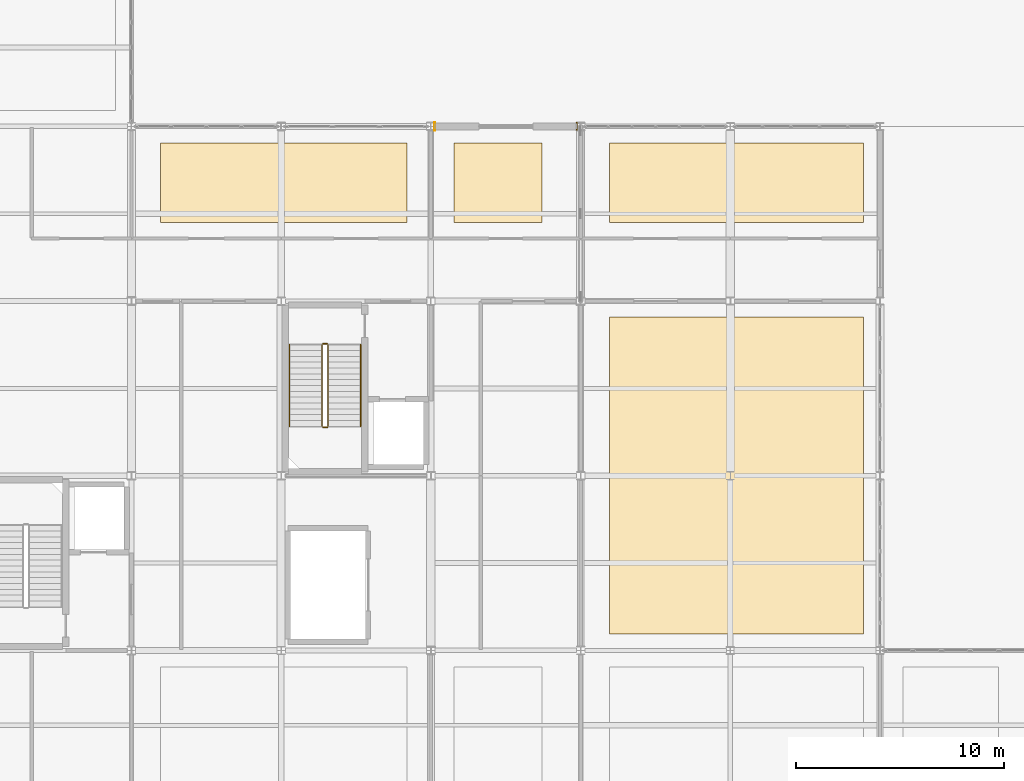
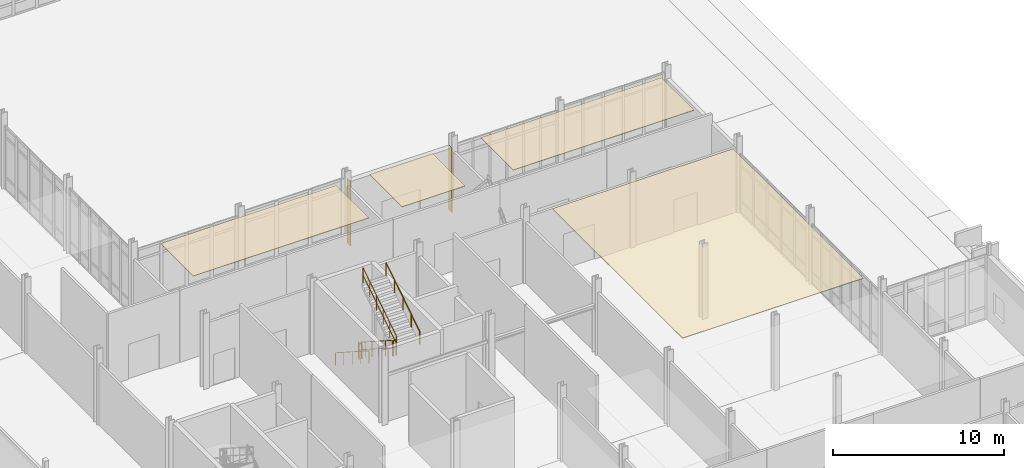
# One storey, part 227 of 229: 6 coverings, 6 railings.
"""IFC4 building model written with IfcOpenShell, lengths in metres."""

from ifc_helpers import new_model, si_unit, direction, frame, origin, origin_2d, place, context, subcontext, project, spatial, polyline, circle, outline, extrude, material, layer, layer_set, type_object, element, save


model = new_model("IFC4")

# Units and contexts
model_context = context("Model", 3, precision=1e-05, world=origin(), true_north=direction((0.0, 1.0)))
body_context = subcontext(model_context, "Body", "Model", "MODEL_VIEW")
ifc_project = project(units=[si_unit("LENGTHUNIT", "METRE"), si_unit("AREAUNIT", "SQUARE_METRE"), si_unit("VOLUMEUNIT", "CUBIC_METRE"), si_unit("PLANEANGLEUNIT", "RADIAN"), si_unit("MASSUNIT", "GRAM", prefix="KILO")], contexts=[model_context])

# Site, building, storey
site_placement = place(None, origin())
site = spatial("IfcSite", under=ifc_project, at=site_placement, CompositionType="ELEMENT")
building_placement = place(site_placement, origin())
building = spatial("IfcBuilding", under=site, at=building_placement, Name="Calvrana Isthmian Art Gallery", CompositionType="ELEMENT")
storey_placement = place(building_placement, origin())
storey = spatial("IfcBuildingStorey", under=building, at=storey_placement, Name="L00", CompositionType="ELEMENT", Elevation=0.0)

# Coverings
ifc_material_1 = material(Name="Acoustic gypsum ceiling", Category="gypsum")
ifc_layer_1 = layer(ifc_material_1, 0.0400390625, Name="Acoustic gypsum ceiling")
ifc_layer_set_1 = layer_set([ifc_layer_1], Name="Acoustic gypsum ceiling")
covering_type_1 = type_object("IfcCoveringType", Name="COV-CEIL-ACOUST", PredefinedType="CEILING", material=ifc_layer_set_1)
covering_1_placement = place(storey_placement, frame((0.0, 0.0, 5.1220703125)))
element("IfcCovering", 1, at=covering_1_placement, inside=storey, type_object=covering_type_1, Name="Gallery acoustic ceiling 18", PredefinedType="CEILING", context=body_context, shape_type="SweptSolid", body=[
    extrude(outline(polyline([(143.0, 22.39990234375), (155.199951171875, 22.39990234375), (155.199951171875, 37.6298828125), (143.0, 37.6298828125), (143.0, 22.39990234375)])), origin(), (0.0, 0.0, 1.0), 0.0400390625),
])
covering_2_placement = place(storey_placement, frame((0.0, 0.0, 5.1220703125)))
element("IfcCovering", 2, at=covering_2_placement, inside=storey, type_object=covering_type_1, Name="Gallery acoustic ceiling 19", PredefinedType="CEILING", context=body_context, shape_type="SweptSolid", body=[
    extrude(outline(polyline([(121.39990234375, 42.179931640625), (133.25, 42.179931640625), (133.25, 46.0), (121.39990234375, 46.0), (121.39990234375, 42.179931640625)])), origin(), (0.0, 0.0, 1.0), 0.0400390625),
])
covering_3_placement = place(storey_placement, frame((0.0, 0.0, 5.1220703125)))
element("IfcCovering", 3, at=covering_3_placement, inside=storey, type_object=covering_type_1, Name="Gallery acoustic ceiling 20", PredefinedType="CEILING", context=body_context, shape_type="SweptSolid", body=[
    extrude(outline(polyline([(135.5, 42.179931640625), (139.75, 42.179931640625), (139.75, 46.0), (135.5, 46.0), (135.5, 42.179931640625)])), origin(), (0.0, 0.0, 1.0), 0.0400390625),
])
covering_4_placement = place(storey_placement, frame((0.0, 0.0, 5.1220703125)))
element("IfcCovering", 4, at=covering_4_placement, inside=storey, type_object=covering_type_1, Name="Gallery acoustic ceiling 21", PredefinedType="CEILING", context=body_context, shape_type="SweptSolid", body=[
    extrude(outline(polyline([(143.0, 42.179931640625), (155.199951171875, 42.179931640625), (155.199951171875, 46.0), (143.0, 46.0), (143.0, 42.179931640625)])), origin(), (0.0, 0.0, 1.0), 0.0400390625),
])
ifc_material_2 = material(Name="Polychrome glazed terracotta", Category="masonry")
ifc_layer_2 = layer(ifc_material_2, 0.0400390625, Name="Polychrome glazed terracotta")
ifc_layer_set_2 = layer_set([ifc_layer_2], Name="Polychrome glazed terracotta")
covering_type_2 = type_object("IfcCoveringType", Name="COV-CLAD-TERRA", PredefinedType="CLADDING", material=ifc_layer_set_2)
covering_5_placement = place(storey_placement, origin())
element("IfcCovering", 5, at=covering_5_placement, inside=storey, type_object=covering_type_2, Name="Column pocket weather closure L00-17-06-W", PredefinedType="CLADDING", context=body_context, shape_type="SweptSolid", body=[
    extrude(outline(polyline([(134.56201171875, 46.60205078125), (134.60205078125, 46.60205078125), (134.60205078125, 46.998046875), (134.56201171875, 46.998046875), (134.56201171875, 46.60205078125)])), origin(), (0.0, 0.0, 1.0), 4.591064453125),
])
covering_6_placement = place(storey_placement, origin())
element("IfcCovering", 6, at=covering_6_placement, inside=storey, type_object=covering_type_2, Name="Column pocket weather closure L00-17-06-E", PredefinedType="CLADDING", context=body_context, shape_type="SweptSolid", body=[
    extrude(outline(polyline([(141.400390625, 46.60791015625), (141.4404296875, 46.60791015625), (141.4404296875, 46.991943359375), (141.400390625, 46.991943359375), (141.400390625, 46.60791015625)])), origin(), (0.0, 0.0, 1.0), 4.591064453125),
])

# Railings
ifc_material_3 = material(Name="Stainless steel 316", Category="steel")
railing_type_1 = type_object("IfcRailingType", Name="RL-GUARD-1120", PredefinedType="BALUSTRADE", material=ifc_material_3)
railing_1_placement = place(storey_placement, frame((129.159912109375, 36.300048828125, 0.179931640625)))
element("IfcRailing", 7, at=railing_1_placement, inside=storey, type_object=railing_type_1, Name="Stair ST-4 guard L00-1", PredefinedType="BALUSTRADE", context=body_context, shape_type="SweptSolid", body=[
    extrude(circle(Radius=0.02392578125, at=origin_2d()), frame((0.0, 0.0, 1.09619140625), z_axis=(0.0, -0.841186985886, 0.540744352514), x_axis=(1.0, 0.0, 0.0)), (0.0, 0.0, 1.0), 4.660400390625),
    extrude(circle(Radius=0.02392578125, at=origin_2d()), frame((0.0, 0.0, 0.56005859375), z_axis=(0.0, -0.841186985886, 0.540744352514), x_axis=(1.0, 0.0, 0.0)), (0.0, 0.0, 1.0), 4.660400390625),
    extrude(circle(Radius=0.02099609375, at=origin_2d()), origin(), (0.0, 0.0, 1.0), 1.072021484375),
    extrude(circle(Radius=0.02099609375, at=origin_2d()), frame((0.0, -0.783935546875, 0.50390625)), (0.0, 0.0, 1.0), 1.072021484375),
    extrude(circle(Radius=0.02099609375, at=origin_2d()), frame((0.0, -1.568115234375, 1.008056640625)), (0.0, 0.0, 1.0), 1.072021484375),
    extrude(circle(Radius=0.02099609375, at=origin_2d()), frame((0.0, -2.35205078125, 1.511962890625)), (0.0, 0.0, 1.0), 1.072021484375),
    extrude(circle(Radius=0.02099609375, at=origin_2d()), frame((0.0, -3.13623046875, 2.01611328125)), (0.0, 0.0, 1.0), 1.072021484375),
    extrude(circle(Radius=0.02099609375, at=origin_2d()), frame((0.0, -3.920166015625, 2.52001953125)), (0.0, 0.0, 1.0), 1.072021484375),
])
railing_2_placement = place(storey_placement, frame((129.2099609375, 32.330078125, 2.699951171875)))
element("IfcRailing", 8, at=railing_2_placement, inside=storey, type_object=railing_type_1, Name="Stair ST-4 guard L00-2", PredefinedType="BALUSTRADE", context=body_context, shape_type="SweptSolid", body=[
    extrude(circle(Radius=0.02392578125, at=origin_2d()), frame((0.0, 0.0, 1.09619140625), z_axis=(1.0, 0.0, 0.0), x_axis=(0.0, 1.0, 0.0)), (0.0, 0.0, 1.0), 0.199951171875),
    extrude(circle(Radius=0.02392578125, at=origin_2d()), frame((0.0, 0.0, 0.56005859375), z_axis=(1.0, 0.0, 0.0), x_axis=(0.0, 1.0, 0.0)), (0.0, 0.0, 1.0), 0.199951171875),
    extrude(circle(Radius=0.02099609375, at=origin_2d()), origin(), (0.0, 0.0, 1.0), 1.072021484375),
    extrude(circle(Radius=0.02099609375, at=origin_2d()), frame((0.199951171875, 0.0, 0.0)), (0.0, 0.0, 1.0), 1.072021484375),
])
railing_3_placement = place(storey_placement, frame((129.4599609375, 32.3798828125, 2.8798828125)))
element("IfcRailing", 9, at=railing_3_placement, inside=storey, type_object=railing_type_1, Name="Stair ST-4 guard L00-3", PredefinedType="BALUSTRADE", context=body_context, shape_type="SweptSolid", body=[
    extrude(circle(Radius=0.02392578125, at=origin_2d()), frame((0.0, 0.0, 1.09619140625), z_axis=(0.0, 0.841186985886, 0.540744352514), x_axis=(-1.0, 0.0, 0.0)), (0.0, 0.0, 1.0), 4.660400390625),
    extrude(circle(Radius=0.02392578125, at=origin_2d()), frame((0.0, 0.0, 0.56005859375), z_axis=(0.0, 0.841186985886, 0.540744352514), x_axis=(-1.0, 0.0, 0.0)), (0.0, 0.0, 1.0), 4.660400390625),
    extrude(circle(Radius=0.02099609375, at=origin_2d()), origin(), (0.0, 0.0, 1.0), 1.072021484375),
    extrude(circle(Radius=0.02099609375, at=origin_2d()), frame((0.0, 0.783935546875, 0.50390625)), (0.0, 0.0, 1.0), 1.072021484375),
    extrude(circle(Radius=0.02099609375, at=origin_2d()), frame((0.0, 1.568115234375, 1.008056640625)), (0.0, 0.0, 1.0), 1.072021484375),
    extrude(circle(Radius=0.02099609375, at=origin_2d()), frame((0.0, 2.35205078125, 1.511962890625)), (0.0, 0.0, 1.0), 1.072021484375),
    extrude(circle(Radius=0.02099609375, at=origin_2d()), frame((0.0, 3.13623046875, 2.01611328125)), (0.0, 0.0, 1.0), 1.072021484375),
    extrude(circle(Radius=0.02099609375, at=origin_2d()), frame((0.0, 3.920166015625, 2.52001953125)), (0.0, 0.0, 1.0), 1.072021484375),
])
railing_4_placement = place(storey_placement, frame((129.2099609375, 36.35009765625, 0.0)))
element("IfcRailing", 10, at=railing_4_placement, inside=storey, type_object=railing_type_1, Name="Stair ST-4 guard L00-4", PredefinedType="BALUSTRADE", context=body_context, shape_type="SweptSolid", body=[
    extrude(circle(Radius=0.02392578125, at=origin_2d()), frame((0.0, 0.0, 1.09619140625), z_axis=(1.0, 0.0, 0.0), x_axis=(0.0, 1.0, 0.0)), (0.0, 0.0, 1.0), 0.199951171875),
    extrude(circle(Radius=0.02392578125, at=origin_2d()), frame((0.0, 0.0, 0.56005859375), z_axis=(1.0, 0.0, 0.0), x_axis=(0.0, 1.0, 0.0)), (0.0, 0.0, 1.0), 0.199951171875),
    extrude(circle(Radius=0.02099609375, at=origin_2d()), origin(), (0.0, 0.0, 1.0), 1.072021484375),
    extrude(circle(Radius=0.02099609375, at=origin_2d()), frame((0.199951171875, 0.0, 0.0)), (0.0, 0.0, 1.0), 1.072021484375),
])
railing_type_2 = type_object("IfcRailingType", Name="RL-HAND-920", PredefinedType="HANDRAIL", material=ifc_material_3)
railing_5_placement = place(storey_placement, frame((127.60009765625, 36.300048828125, 0.179931640625)))
element("IfcRailing", 11, at=railing_5_placement, inside=storey, type_object=railing_type_2, Name="Stair ST-4 handrail L00-1", PredefinedType="HANDRAIL", context=body_context, shape_type="SweptSolid", body=[
    extrude(circle(Radius=0.02392578125, at=origin_2d()), frame((0.0, 0.0, 0.89599609375), z_axis=(0.0, -0.841186985886, 0.540744352514), x_axis=(1.0, 0.0, 0.0)), (0.0, 0.0, 1.0), 4.660400390625),
    extrude(circle(Radius=0.02099609375, at=origin_2d()), origin(), (0.0, 0.0, 1.0), 0.871826171875),
    extrude(circle(Radius=0.02099609375, at=origin_2d()), frame((0.0, -0.97998046875, 0.6298828125)), (0.0, 0.0, 1.0), 0.871826171875),
    extrude(circle(Radius=0.02099609375, at=origin_2d()), frame((0.0, -1.9599609375, 1.260009765625)), (0.0, 0.0, 1.0), 0.871826171875),
    extrude(circle(Radius=0.02099609375, at=origin_2d()), frame((0.0, -2.940185546875, 1.89013671875)), (0.0, 0.0, 1.0), 0.871826171875),
    extrude(circle(Radius=0.02099609375, at=origin_2d()), frame((0.0, -3.920166015625, 2.52001953125)), (0.0, 0.0, 1.0), 0.871826171875),
])
railing_6_placement = place(storey_placement, frame((131.02001953125, 32.3798828125, 2.8798828125)))
element("IfcRailing", 12, at=railing_6_placement, inside=storey, type_object=railing_type_2, Name="Stair ST-4 handrail L00-2", PredefinedType="HANDRAIL", context=body_context, shape_type="SweptSolid", body=[
    extrude(circle(Radius=0.02392578125, at=origin_2d()), frame((0.0, 0.0, 0.89599609375), z_axis=(0.0, 0.841186985886, 0.540744352514), x_axis=(-1.0, 0.0, 0.0)), (0.0, 0.0, 1.0), 4.660400390625),
    extrude(circle(Radius=0.02099609375, at=origin_2d()), origin(), (0.0, 0.0, 1.0), 0.871826171875),
    extrude(circle(Radius=0.02099609375, at=origin_2d()), frame((0.0, 0.97998046875, 0.6298828125)), (0.0, 0.0, 1.0), 0.871826171875),
    extrude(circle(Radius=0.02099609375, at=origin_2d()), frame((0.0, 1.9599609375, 1.260009765625)), (0.0, 0.0, 1.0), 0.871826171875),
    extrude(circle(Radius=0.02099609375, at=origin_2d()), frame((0.0, 2.940185546875, 1.89013671875)), (0.0, 0.0, 1.0), 0.871826171875),
    extrude(circle(Radius=0.02099609375, at=origin_2d()), frame((0.0, 3.920166015625, 2.52001953125)), (0.0, 0.0, 1.0), 0.871826171875),
])

save(model, "model.ifc")
